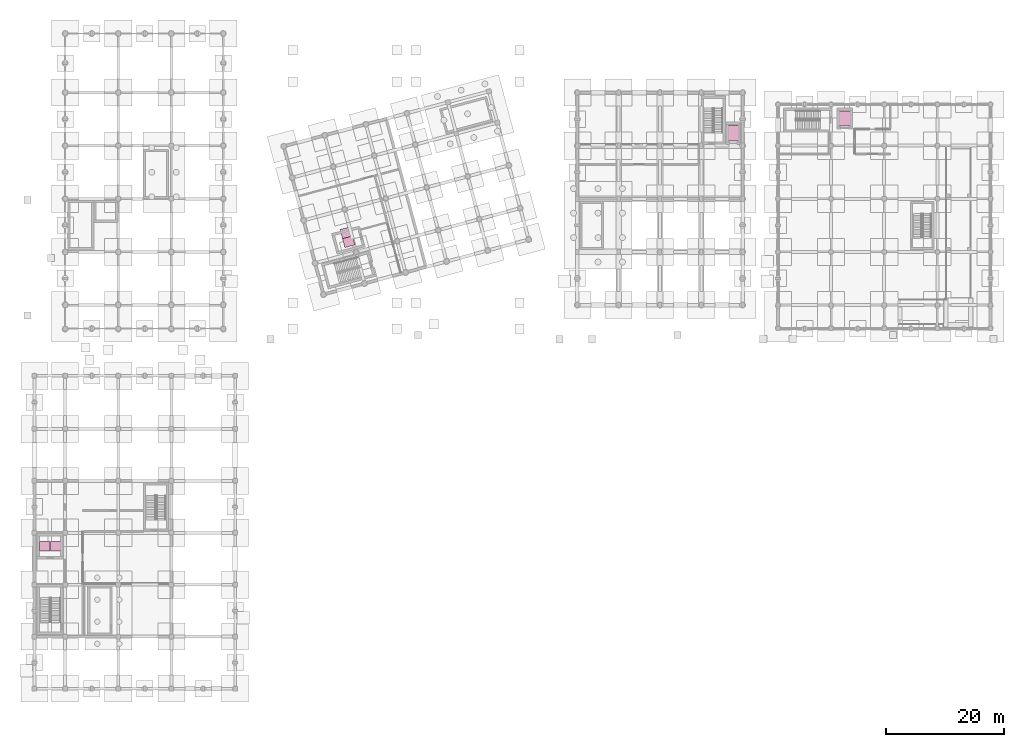
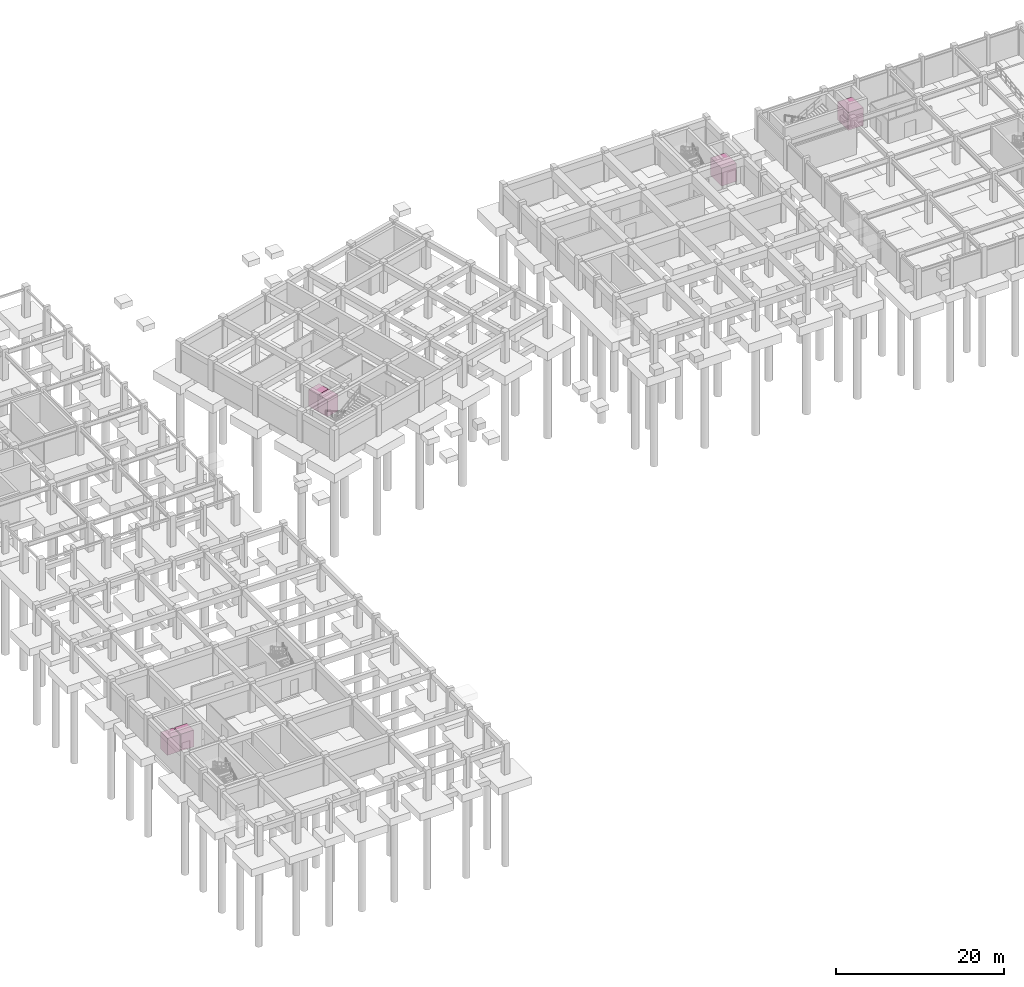
# One storey, part 20 of 20: 6 transport elements.
"""IFC4 building model written with IfcOpenShell, lengths in metres."""

from ifc_helpers import new_model, si_unit, direction, frame, origin, origin_2d, place, context, subcontext, project, spatial, rectangle, extrude, material, type_object, element, save


model = new_model("IFC4")

# Units and contexts
model_context = context("Model", 3, precision=1e-05, world=origin(), true_north=direction((0.0, 1.0)))
body_context = subcontext(model_context, "Body", "Model", "MODEL_VIEW")
ifc_project = project(units=[si_unit("LENGTHUNIT", "METRE"), si_unit("AREAUNIT", "SQUARE_METRE"), si_unit("VOLUMEUNIT", "CUBIC_METRE"), si_unit("PLANEANGLEUNIT", "RADIAN"), si_unit("MASSUNIT", "GRAM", prefix="KILO")], contexts=[model_context])

# Site, building, storey
site_placement = place(None, origin())
site = spatial("IfcSite", under=ifc_project, at=site_placement, CompositionType="ELEMENT")
building_placement = place(site_placement, origin())
building = spatial("IfcBuilding", under=site, at=building_placement, Name="Ventoquebrada Cableway Terminal", CompositionType="ELEMENT")
storey_placement = place(building_placement, frame((0.0, 0.0, -4.5)))
storey = spatial("IfcBuildingStorey", under=building, at=storey_placement, Name="B1", CompositionType="ELEMENT", Elevation=-4.5)

# Transport elements
ifc_material = material(Name="Brushed stainless steel Grade 316", Category="steel")
transport_element_type_1 = type_object("IfcTransportElementType", Name="LF-GD01", PredefinedType="ELEVATOR", material=ifc_material)
for number, where, z_axis, x_axis, name in (
    (1, (121.39990234375, 97.10009765625, 0.0), (0.0, 0.0, 1.0), (1.0, 0.0, 0.0), "Drive hall goods lift LF-07 (B1-L02)"),
    (2, (140.300048828125, 99.60009765625, 0.0), (0.0, 0.0, 1.0), (1.0, 0.0, 0.0), "Workshop freight lift LF-08 (B1-L02)"),
):
    element("IfcTransportElement", number, at=place(storey_placement, frame(where, z_axis=z_axis, x_axis=x_axis)), inside=storey, type_object=transport_element_type_1, Name=name, PredefinedType="ELEVATOR", context=body_context, shape_type="SweptSolid", body=[
        extrude(rectangle(XDim=2.10009765625, YDim=2.60009765625, at=origin_2d()), origin(), (0.0, 0.0, 1.0), 2.60009765625),
    ])
transport_element_type_2 = type_object("IfcTransportElementType", Name="LF-PS01", PredefinedType="ELEVATOR", material=ifc_material)
for number, where, z_axis, x_axis, name in (
    (3, (4.72509765625, 27.10009765625, 0.0), (0.0, 0.0, 1.0), (1.0, 0.0, 0.0), "Passenger lift LF-01 (B1-L03)"),
    (4, (6.625, 27.10009765625, 0.0), (0.0, 0.0, 1.0), (1.0, 0.0, 0.0), "Passenger lift LF-02 (B1-L03)"),
    (5, (56.25390625, 78.74609375, 0.0), (0.0, 0.0, 1.0), (0.965925826289, 0.258819045103, 0.0), "Boarding concourse lift LF-03 (B1-L02)"),
    (6, (55.85302734375, 80.243896484375, 0.0), (0.0, 0.0, 1.0), (0.965925826289, 0.258819045103, 0.0), "Boarding concourse lift LF-04 (B1-L02)"),
):
    element("IfcTransportElement", number, at=place(storey_placement, frame(where, z_axis=z_axis, x_axis=x_axis)), inside=storey, type_object=transport_element_type_2, Name=name, PredefinedType="ELEVATOR", context=body_context, shape_type="SweptSolid", body=[
        extrude(rectangle(XDim=1.75, YDim=1.60009765625, at=origin_2d()), origin(), (0.0, 0.0, 1.0), 2.449951171875),
    ])

save(model, "model.ifc")
